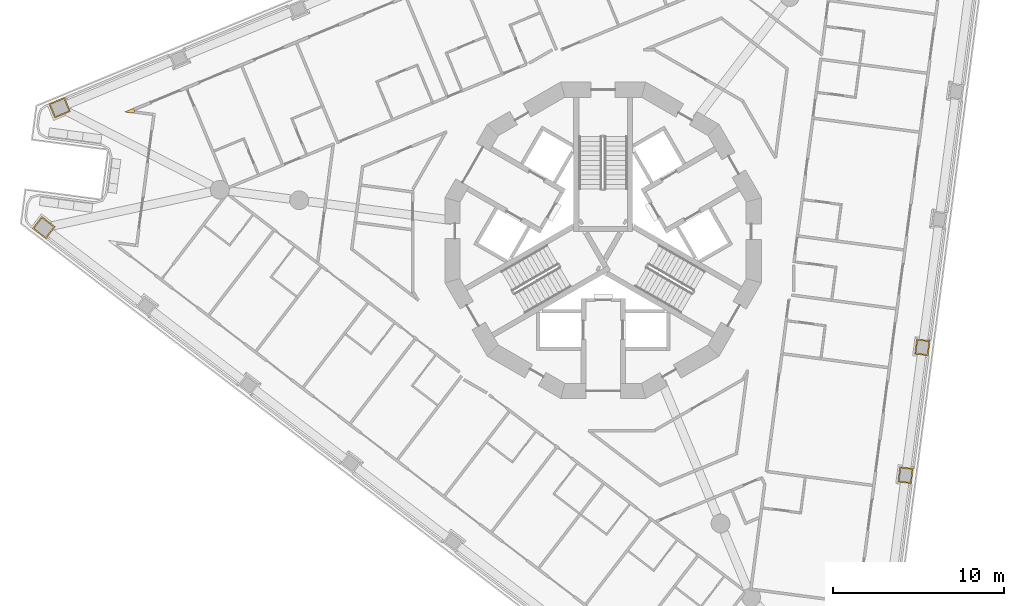
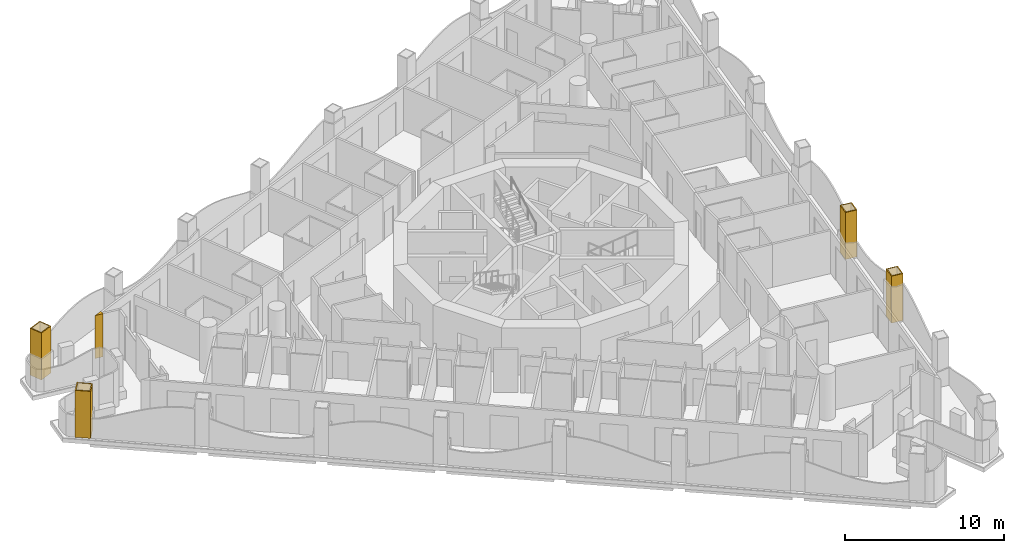
# One storey, part 14 of 17: 5 coverings.
"""IFC4 building model written with IfcOpenShell, lengths in metres."""

from ifc_helpers import new_model, si_unit, direction, frame, origin, place, context, subcontext, project, spatial, polyline, outline, extrude, material, layer, layer_set, type_object, element, save


model = new_model("IFC4")

# Units and contexts
model_context = context("Model", 3, precision=1e-05, world=origin(), true_north=direction((0.0, 1.0)))
body_context = subcontext(model_context, "Body", "Model", "MODEL_VIEW")
ifc_project = project(units=[si_unit("LENGTHUNIT", "METRE"), si_unit("AREAUNIT", "SQUARE_METRE"), si_unit("VOLUMEUNIT", "CUBIC_METRE"), si_unit("PLANEANGLEUNIT", "RADIAN"), si_unit("MASSUNIT", "GRAM", prefix="KILO")], contexts=[model_context])

# Site, building, storey
site_placement = place(None, origin())
site = spatial("IfcSite", under=ifc_project, at=site_placement, CompositionType="ELEMENT")
building_placement = place(site_placement, origin())
building = spatial("IfcBuilding", under=site, at=building_placement, Name="Trine Commons Tower", CompositionType="ELEMENT")
storey_placement = place(building_placement, frame((0.0, 0.0, 149.39990234375)))
storey = spatial("IfcBuildingStorey", under=building, at=storey_placement, Name="L38", CompositionType="ELEMENT", Elevation=149.39990234375)

# Coverings
ifc_material_1 = material(Name="Aluminium-framed insulated wall panel", Category="aluminium")
ifc_layer_1 = layer(ifc_material_1, 0.14990234375)
ifc_layer_set_1 = layer_set([ifc_layer_1], Name="Aluminium-framed insulated wall panel")
covering_type_1 = type_object("IfcCoveringType", Name="Glazing corner post, aluminium", PredefinedType="CLADDING", material=ifc_layer_set_1)
covering_1_placement = place(storey_placement, origin())
element("IfcCovering", 1, at=covering_1_placement, inside=storey, type_object=covering_type_1, Name="Glazing corner post 4-04", PredefinedType="CLADDING", context=body_context, shape_type="SweptSolid", body=[
    extrude(outline(polyline([(52.53369140625, 69.938720703125), (52.553466796875, 70.08740234375), (52.49609375, 70.22607421875), (51.978759765625, 70.01171875), (52.53369140625, 69.938720703125)])), origin(), (0.0, 0.0, 1.0), 3.300048828125),
])
ifc_material_2 = material(Name="Limestone, honed", Category="masonry")
ifc_layer_2 = layer(ifc_material_2, 0.074951171875)
ifc_layer_set_2 = layer_set([ifc_layer_2], Name="Limestone, honed")
covering_type_2 = type_object("IfcCoveringType", Name="Limestone column cladding 75", PredefinedType="CLADDING", material=ifc_layer_set_2)
covering_2_placement = place(storey_placement, origin())
element("IfcCovering", 2, at=covering_2_placement, inside=storey, type_object=covering_type_2, Name="Limestone pier cladding 4-08", PredefinedType="CLADDING", context=body_context, shape_type="SweptSolid", body=[
    extrude(outline(polyline([(47.1259765625, 63.898193359375), (46.578125, 63.18408203125), (47.371337890625, 62.5751953125), (47.919189453125, 63.289306640625), (47.1259765625, 63.898193359375)]), holes=[polyline([(47.139892578125, 63.79296875), (46.68310546875, 63.197998046875), (47.357666015625, 62.680419921875), (47.814208984375, 63.275390625), (47.139892578125, 63.79296875)])]), origin(), (0.0, 0.0, 1.0), 3.60009765625),
])
covering_3_placement = place(storey_placement, origin())
element("IfcCovering", 3, at=covering_3_placement, inside=storey, type_object=covering_type_2, Name="Limestone pier cladding 4-09", PredefinedType="CLADDING", context=body_context, shape_type="SweptSolid", body=[
    extrude(outline(polyline([(48.80810546875, 70.04052734375), (48.463623046875, 70.8720703125), (47.539794921875, 70.489501953125), (47.88427734375, 69.657958984375), (48.80810546875, 70.04052734375)]), holes=[polyline([(48.710205078125, 70.081298828125), (48.423095703125, 70.774169921875), (47.6376953125, 70.44873046875), (47.9248046875, 69.755859375), (48.710205078125, 70.081298828125)])]), origin(), (0.0, 0.0, 1.0), 3.60009765625),
])
covering_4_placement = place(storey_placement, origin())
element("IfcCovering", 4, at=covering_4_placement, inside=storey, type_object=covering_type_2, Name="Limestone pier cladding 4-21", PredefinedType="CLADDING", context=body_context, shape_type="SweptSolid", body=[
    extrude(outline(polyline([(99.150146484375, 56.6240234375), (98.35693359375, 56.728515625), (98.239501953125, 55.836181640625), (99.03271484375, 55.731689453125), (99.150146484375, 56.6240234375)]), holes=[polyline([(99.06591796875, 56.5595703125), (98.42138671875, 56.644287109375), (98.323486328125, 55.90087890625), (98.968017578125, 55.81591796875), (99.06591796875, 56.5595703125)])]), origin(), (0.0, 0.0, 1.0), 3.60009765625),
])
covering_5_placement = place(storey_placement, origin())
element("IfcCovering", 5, at=covering_5_placement, inside=storey, type_object=covering_type_2, Name="Limestone pier cladding 4-22", PredefinedType="CLADDING", context=body_context, shape_type="SweptSolid", body=[
    extrude(outline(polyline([(98.164306640625, 49.13671875), (97.371337890625, 49.2412109375), (97.25390625, 48.34912109375), (98.046875, 48.244384765625), (98.164306640625, 49.13671875)]), holes=[polyline([(98.080322265625, 49.072265625), (97.435791015625, 49.156982421875), (97.337890625, 48.41357421875), (97.982421875, 48.32861328125), (98.080322265625, 49.072265625)])]), origin(), (0.0, 0.0, 1.0), 3.60009765625),
])

save(model, "model.ifc")
